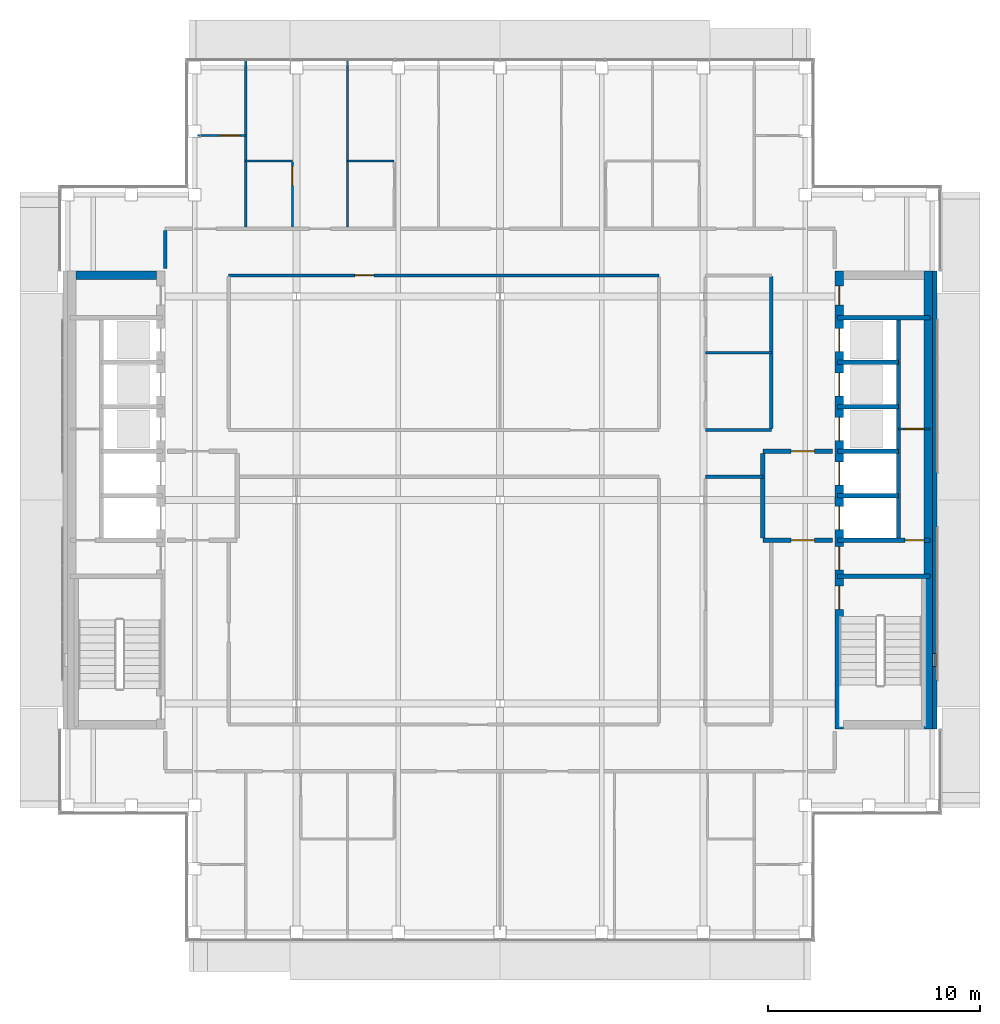
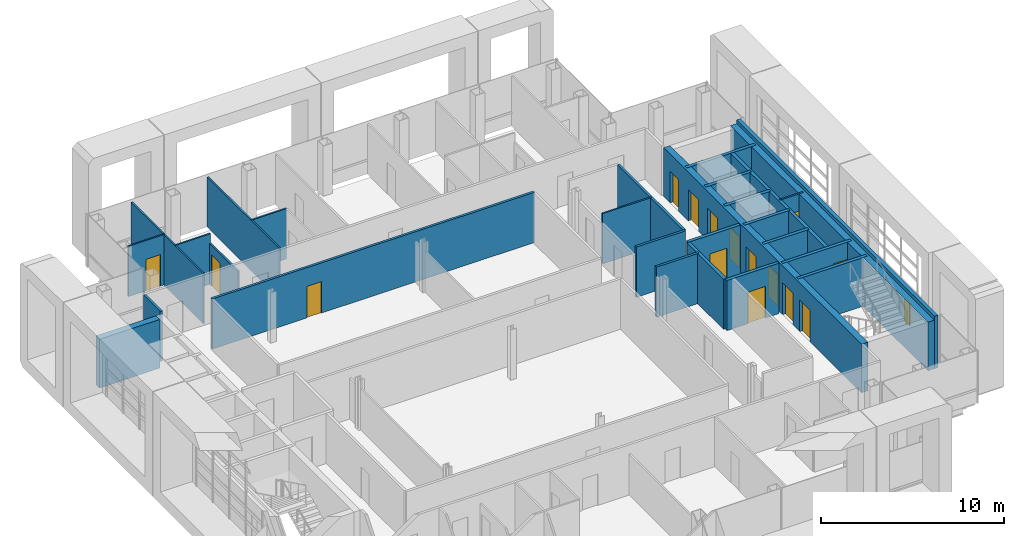
# One storey, part 11 of 21: 28 walls, 15 doors, 1 window, 16 openings.
"""IFC4 building model written with IfcOpenShell, lengths in metres."""

from ifc_helpers import new_model, si_unit, direction, frame, frame_2d, origin, place, context, subcontext, project, spatial, rectangle, extrude, material, layer, layer_set, type_object, element, fill, save


model = new_model("IFC4")

# Units and contexts
model_context = context("Model", 3, precision=1e-05, world=origin(), true_north=direction((0.0, 1.0)))
body_context = subcontext(model_context, "Body", "Model", "MODEL_VIEW")
ifc_project = project(units=[si_unit("LENGTHUNIT", "METRE"), si_unit("AREAUNIT", "SQUARE_METRE"), si_unit("VOLUMEUNIT", "CUBIC_METRE"), si_unit("PLANEANGLEUNIT", "RADIAN"), si_unit("MASSUNIT", "GRAM", prefix="KILO")], contexts=[model_context])

# Site, building, storey
site_placement = place(None, origin())
site = spatial("IfcSite", under=ifc_project, at=site_placement, CompositionType="ELEMENT")
building_placement = place(site_placement, origin())
building = spatial("IfcBuilding", under=site, at=building_placement, Name="Cobrizo Arcos Hotel Tower", CompositionType="ELEMENT")
storey_placement = place(building_placement, frame((0.0, 0.0, 248.0)))
storey = spatial("IfcBuildingStorey", under=building, at=storey_placement, Name="L65", CompositionType="ELEMENT", Elevation=248.0)

# Walls
ifc_material_1 = material(Name="Gypsum board partition")
ifc_layer_1 = layer(ifc_material_1, 0.14990234375)
ifc_layer_set_1 = layer_set([ifc_layer_1], Name="Corridor wall EI 60 150")
wall_type_1 = type_object("IfcWallType", Name="Corridor wall EI 60 150", PredefinedType="PARTITIONING", material=ifc_layer_set_1)
wall_1_placement = place(storey_placement, frame((9.699951171875, 1.10009765625, 0.0), z_axis=(0.0, 0.0, 1.0), x_axis=(1.0, 0.0, 0.0)))
element("IfcWall", 1, at=wall_1_placement, inside=storey, type_object=wall_type_1, Name="Partition 017", PredefinedType="PARTITIONING", context=body_context, shape_type="SweptSolid", body=[
    extrude(rectangle(XDim=2.699951171875, YDim=0.14990234375, at=frame_2d((1.35009765625, 0.0))), origin(), (0.0, 0.0, 1.0), 3.35009765625),
])
wall_2_placement = place(storey_placement, frame((9.699951171875, 3.300048828125, 0.0), z_axis=(0.0, 0.0, 1.0), x_axis=(1.0, 0.0, 0.0)))
element("IfcWall", 2, at=wall_2_placement, inside=storey, type_object=wall_type_1, Name="Partition 023", PredefinedType="PARTITIONING", context=body_context, shape_type="SweptSolid", body=[
    extrude(rectangle(XDim=3.10009765625, YDim=0.14990234375, at=frame_2d((1.550048828125, 0.0))), origin(), (0.0, 0.0, 1.0), 3.35009765625),
])

# Wall, opening, door
wall_3_placement = place(storey_placement, frame((-12.800048828125, 10.60009765625, 0.0), z_axis=(0.0, 0.0, 1.0), x_axis=(1.0, 0.0, 0.0)))
wall_3 = element("IfcWall", 3, at=wall_3_placement, inside=storey, type_object=wall_type_1, Name="Partition 033", PredefinedType="PARTITIONING", context=body_context, shape_type="SweptSolid", body=[
    extrude(rectangle(XDim=20.300048828125, YDim=0.14990234375, at=frame_2d((10.14990234375, 0.0))), origin(), (0.0, 0.0, 1.0), 3.35009765625),
])
opening_1_placement = place(wall_3_placement, frame((5.949951171875, 0.0, 0.0)))
opening_1 = element("IfcOpeningElement", 4, at=opening_1_placement, cuts=wall_3, Name="Opening RD-14", PredefinedType="OPENING", context=body_context, shape_type="SweptSolid", body=[
    extrude(rectangle(XDim=0.89990234375, YDim=2.10009765625, at=frame_2d((0.449951171875, 1.050048828125))), frame((0.0, 0.0869140625, 0.0), z_axis=(0.0, -1.0, 0.0), x_axis=(1.0, 0.0, 0.0)), (0.0, 0.0, 1.0), 0.173828125),
])
ifc_material_2 = material(Name="Timber door leaf", Category="wood")
door_type_1 = type_object("IfcDoorType", Name="Room door FD30 900x2100", OperationType="SINGLE_SWING_LEFT", PredefinedType="DOOR", material=ifc_material_2)
door_1_placement = place(opening_1_placement, origin())
door_1 = element("IfcDoor", 5, at=door_1_placement, inside=storey, type_object=door_type_1, Name="Door RD-14", OperationType="SINGLE_SWING_LEFT", OverallHeight=2.10009765625, OverallWidth=0.89990234375, PredefinedType="DOOR", context=body_context, shape_type="SweptSolid", body=[
    extrude(rectangle(XDim=0.89990234375, YDim=2.10009765625, at=frame_2d((0.449951171875, 1.050048828125))), frame((0.0, 0.02490234375, 0.0), z_axis=(0.0, -1.0, 0.0), x_axis=(1.0, 0.0, 0.0)), (0.0, 0.0, 1.0), 0.050048828125),
])
fill(opening_1, door_1)

# Walls
wall_4_placement = place(storey_placement, frame((-15.800048828125, 10.919921875, 0.0), z_axis=(0.0, 0.0, 1.0), x_axis=(0.0, 1.0, 0.0)))
element("IfcWall", 6, at=wall_4_placement, inside=storey, type_object=wall_type_1, Name="Partition 044", PredefinedType="PARTITIONING", context=body_context, shape_type="SweptSolid", body=[
    extrude(rectangle(XDim=1.80517578125, YDim=0.14990234375, at=frame_2d((0.902587890625, 0.0))), origin(), (0.0, 0.0, 1.0), 3.35009765625),
])
wall_5_placement = place(storey_placement, frame((12.800048828125, 3.375, 0.0), z_axis=(0.0, 0.0, 1.0), x_axis=(0.0, 1.0, 0.0)))
element("IfcWall", 7, at=wall_5_placement, inside=storey, type_object=wall_type_1, Name="Partition 088", PredefinedType="PARTITIONING", context=body_context, shape_type="SweptSolid", body=[
    extrude(rectangle(XDim=7.175048828125, YDim=0.14990234375, at=frame_2d((3.58740234375, 0.0))), origin(), (0.0, 0.0, 1.0), 3.35009765625),
])

# Wall, opening, window
ifc_material_3 = material(Name="Aluminium composite panel pale metal", Category="aluminium")
ifc_layer_2 = layer(ifc_material_3, 0.22509765625)
ifc_layer_set_2 = layer_set([ifc_layer_2], Name="EW-1 insulated panel wall 225")
wall_type_2 = type_object("IfcWallType", Name="EW-1 insulated panel wall 225", PredefinedType="SOLIDWALL", material=ifc_layer_set_2)
wall_6_placement = place(storey_placement, frame((20.512451171875, -10.800048828125, 0.0), z_axis=(0.0, 0.0, 1.0), x_axis=(0.0, 1.0, 0.0)))
wall_6 = element("IfcWall", 8, at=wall_6_placement, inside=storey, type_object=wall_type_2, Name="Core face wall L65 E", PredefinedType="SOLIDWALL", context=body_context, shape_type="SweptSolid", body=[
    extrude(rectangle(XDim=21.60009765625, YDim=0.22509765625, at=frame_2d((10.800048828125, 0.0))), origin(), (0.0, 0.0, 1.0), 3.5),
])
opening_2_placement = place(wall_6_placement, frame((2.949951171875, 0.0, 1.0)))
opening_2 = element("IfcOpeningElement", 9, at=opening_2_placement, cuts=wall_6, Name="Opening W-149", PredefinedType="OPENING", context=body_context, shape_type="SweptSolid", body=[
    extrude(rectangle(XDim=0.60009765625, YDim=1.5, at=frame_2d((0.300048828125, 0.75))), frame((0.0, 0.12451171875, 0.0), z_axis=(0.0, -1.0, 0.0), x_axis=(1.0, 0.0, 0.0)), (0.0, 0.0, 1.0), 0.2490234375),
])
ifc_material_4 = material(Name="Aluminium 6063-T6 and clear laminated glass", Category="aluminium")
window_type = type_object("IfcWindowType", Name="W-C1 core stair slot window 600x1500", PartitioningType="SINGLE_PANEL", PredefinedType="WINDOW", material=ifc_material_4)
window_placement = place(opening_2_placement, origin())
window = element("IfcWindow", 10, at=window_placement, inside=storey, type_object=window_type, Name="Core face wall L65 E window W-149", OverallHeight=1.5, OverallWidth=0.60009765625, PartitioningType="SINGLE_PANEL", PredefinedType="WINDOW", context=body_context, shape_type="SweptSolid", body=[
    extrude(rectangle(XDim=0.60009765625, YDim=1.5, at=frame_2d((0.300048828125, 0.75))), frame((0.0, -0.0224609375, 0.0), z_axis=(0.0, -1.0, 0.0), x_axis=(1.0, 0.0, 0.0)), (0.0, 0.0, 1.0), 0.06005859375),
])
fill(opening_2, window)

# Wall, opening, door
ifc_layer_3 = layer(ifc_material_1, 0.10009765625)
ifc_layer_set_3 = layer_set([ifc_layer_3], Name="Partition EI 30 100")
wall_type_3 = type_object("IfcWallType", Name="Partition EI 30 100", PredefinedType="PARTITIONING", material=ifc_layer_set_3)
wall_7_placement = place(storey_placement, frame((18.800048828125, 3.35009765625, 0.0), z_axis=(0.0, 0.0, 1.0), x_axis=(1.0, 0.0, 0.0)))
wall_7 = element("IfcWall", 11, at=wall_7_placement, inside=storey, type_object=wall_type_3, Name="Partition 025", PredefinedType="PARTITIONING", context=body_context, shape_type="SweptSolid", body=[
    extrude(rectangle(XDim=1.47998046875, YDim=0.10009765625, at=frame_2d((0.739990234375, 0.0))), origin(), (0.0, 0.0, 1.0), 3.25),
])
opening_3_placement = place(wall_7_placement, frame((0.300048828125, 0.0, 0.0)))
opening_3 = element("IfcOpeningElement", 12, at=opening_3_placement, cuts=wall_7, Name="Opening RD-06", PredefinedType="OPENING", context=body_context, shape_type="SweptSolid", body=[
    extrude(rectangle(XDim=0.89990234375, YDim=2.10009765625, at=frame_2d((0.449951171875, 1.050048828125))), frame((0.0, 0.06201171875, 0.0), z_axis=(0.0, -1.0, 0.0), x_axis=(1.0, 0.0, 0.0)), (0.0, 0.0, 1.0), 0.1240234375),
])
door_2_placement = place(opening_3_placement, origin())
door_2 = element("IfcDoor", 13, at=door_2_placement, inside=storey, type_object=door_type_1, Name="Door RD-06", OperationType="SINGLE_SWING_RIGHT", OverallHeight=2.10009765625, OverallWidth=0.89990234375, PredefinedType="DOOR", context=body_context, shape_type="SweptSolid", body=[
    extrude(rectangle(XDim=0.89990234375, YDim=2.10009765625, at=frame_2d((0.449951171875, 1.050048828125))), frame((0.0, 0.02490234375, 0.0), z_axis=(0.0, -1.0, 0.0), x_axis=(1.0, 0.0, 0.0)), (0.0, 0.0, 1.0), 0.050048828125),
])
fill(opening_3, door_2)

# Walls
wall_8_placement = place(storey_placement, frame((9.699951171875, 6.949951171875, 0.0), z_axis=(0.0, 0.0, 1.0), x_axis=(1.0, 0.0, 0.0)))
element("IfcWall", 14, at=wall_8_placement, inside=storey, type_object=wall_type_3, Name="Partition 030", PredefinedType="PARTITIONING", context=body_context, shape_type="SweptSolid", body=[
    extrude(rectangle(XDim=3.10009765625, YDim=0.10009765625, at=frame_2d((1.550048828125, 0.0))), origin(), (0.0, 0.0, 1.0), 3.35009765625),
])
for number, where, z_axis, x_axis, name in (
    (15, (-12.0, 16.0, 0.0), (0.0, 0.0, 1.0), (1.0, 0.0, 0.0), "Partition 036"),
    (16, (-7.199951171875, 16.0, 0.0), (0.0, 0.0, 1.0), (1.0, 0.0, 0.0), "Partition 037"),
):
    element("IfcWall", number, at=place(storey_placement, frame(where, z_axis=z_axis, x_axis=x_axis)), inside=storey, type_object=wall_type_3, Name=name, PredefinedType="PARTITIONING", context=body_context, shape_type="SweptSolid", body=[
        extrude(rectangle(XDim=2.199951171875, YDim=0.10009765625, at=frame_2d((1.10009765625, 0.0))), origin(), (0.0, 0.0, 1.0), 3.35009765625),
    ])

# Wall, opening, door
wall_9_placement = place(storey_placement, frame((-14.280029296875, 17.199951171875, 0.0), z_axis=(0.0, 0.0, 1.0), x_axis=(1.0, 0.0, 0.0)))
wall_9 = element("IfcWall", 17, at=wall_9_placement, inside=storey, type_object=wall_type_3, Name="Partition 039", PredefinedType="PARTITIONING", context=body_context, shape_type="SweptSolid", body=[
    extrude(rectangle(XDim=2.280029296875, YDim=0.10009765625, at=frame_2d((1.14013671875, 0.0))), origin(), (0.0, 0.0, 1.0), 3.35009765625),
])
opening_4_placement = place(wall_9_placement, frame((1.110107421875, 0.0, 0.0)))
opening_4 = element("IfcOpeningElement", 18, at=opening_4_placement, cuts=wall_9, Name="Opening ED-09", PredefinedType="OPENING", context=body_context, shape_type="SweptSolid", body=[
    extrude(rectangle(XDim=0.89990234375, YDim=2.10009765625, at=frame_2d((0.449951171875, 1.050048828125))), frame((0.0, 0.06201171875, 0.0), z_axis=(0.0, -1.0, 0.0), x_axis=(1.0, 0.0, 0.0)), (0.0, 0.0, 1.0), 0.1240234375),
])
door_type_2 = type_object("IfcDoorType", Name="En-suite door 900x2100", OperationType="SINGLE_SWING_LEFT", PredefinedType="DOOR", material=ifc_material_2)
door_3_placement = place(opening_4_placement, origin())
door_3 = element("IfcDoor", 19, at=door_3_placement, inside=storey, type_object=door_type_2, Name="Door ED-09", OperationType="SINGLE_SWING_LEFT", OverallHeight=2.10009765625, OverallWidth=0.89990234375, PredefinedType="DOOR", context=body_context, shape_type="SweptSolid", body=[
    extrude(rectangle(XDim=0.89990234375, YDim=2.10009765625, at=frame_2d((0.449951171875, 1.050048828125))), frame((0.0, 0.02490234375, 0.0), z_axis=(0.0, -1.0, 0.0), x_axis=(1.0, 0.0, 0.0)), (0.0, 0.0, 1.0), 0.050048828125),
])
fill(opening_4, door_3)

# Wall
wall_10_placement = place(storey_placement, frame((-12.0, 12.875, 0.0), z_axis=(0.0, 0.0, 1.0), x_axis=(0.0, 1.0, 0.0)))
element("IfcWall", 20, at=wall_10_placement, inside=storey, type_object=wall_type_3, Name="Partition 049", PredefinedType="PARTITIONING", context=body_context, shape_type="SweptSolid", body=[
    extrude(rectangle(XDim=7.85498046875, YDim=0.10009765625, at=frame_2d((3.927490234375, 0.0))), origin(), (0.0, 0.0, 1.0), 3.35009765625),
])

# Wall, opening, door
wall_11_placement = place(storey_placement, frame((-9.800048828125, 12.875, 0.0), z_axis=(0.0, 0.0, 1.0), x_axis=(0.0, 1.0, 0.0)))
wall_11 = element("IfcWall", 21, at=wall_11_placement, inside=storey, type_object=wall_type_3, Name="Partition 050", PredefinedType="PARTITIONING", context=body_context, shape_type="SweptSolid", body=[
    extrude(rectangle(XDim=3.074951171875, YDim=0.10009765625, at=frame_2d((1.53759765625, 0.0))), origin(), (0.0, 0.0, 1.0), 2.72802734375),
])
opening_5_placement = place(wall_11_placement, frame((1.970947265625, 0.0, 0.0)))
opening_5 = element("IfcOpeningElement", 22, at=opening_5_placement, cuts=wall_11, Name="Opening ED-01", PredefinedType="OPENING", context=body_context, shape_type="SweptSolid", body=[
    extrude(rectangle(XDim=0.89990234375, YDim=2.10009765625, at=frame_2d((0.449951171875, 1.050048828125))), frame((0.0, 0.06201171875, 0.0), z_axis=(0.0, -1.0, 0.0), x_axis=(1.0, 0.0, 0.0)), (0.0, 0.0, 1.0), 0.1240234375),
])
door_4_placement = place(opening_5_placement, origin())
door_4 = element("IfcDoor", 23, at=door_4_placement, inside=storey, type_object=door_type_2, Name="Door ED-01", OperationType="SINGLE_SWING_LEFT", OverallHeight=2.10009765625, OverallWidth=0.89990234375, PredefinedType="DOOR", context=body_context, shape_type="SweptSolid", body=[
    extrude(rectangle(XDim=0.89990234375, YDim=2.10009765625, at=frame_2d((0.449951171875, 1.050048828125))), frame((0.0, 0.02490234375, 0.0), z_axis=(0.0, -1.0, 0.0), x_axis=(1.0, 0.0, 0.0)), (0.0, 0.0, 1.0), 0.050048828125),
])
fill(opening_5, door_4)

# Wall
wall_12_placement = place(storey_placement, frame((-7.199951171875, 12.875, 0.0), z_axis=(0.0, 0.0, 1.0), x_axis=(0.0, 1.0, 0.0)))
element("IfcWall", 24, at=wall_12_placement, inside=storey, type_object=wall_type_3, Name="Partition 059", PredefinedType="PARTITIONING", context=body_context, shape_type="SweptSolid", body=[
    extrude(rectangle(XDim=7.85498046875, YDim=0.10009765625, at=frame_2d((3.927490234375, 0.0))), origin(), (0.0, 0.0, 1.0), 3.35009765625),
])

# Wall, openings, doors
ifc_material_5 = material(Name="Concrete f'c 40 MPa", Category="concrete")
ifc_layer_4 = layer(ifc_material_5, 0.39990234375)
ifc_layer_set_4 = layer_set([ifc_layer_4], Name="RC core wall 400 f'c 40")
wall_type_4 = type_object("IfcWallType", Name="RC core wall 400 f'c 40", PredefinedType="SHEAR", material=ifc_layer_set_4)
wall_13_placement = place(storey_placement, frame((16.0, -10.800048828125, 0.0), z_axis=(0.0, 0.0, 1.0), x_axis=(0.0, 1.0, 0.0)))
wall_13 = element("IfcWall", 25, at=wall_13_placement, inside=storey, type_object=wall_type_4, Name="Core wall CW4, east core, inner face, L65", PredefinedType="SHEAR", context=body_context, shape_type="SweptSolid", body=[
    extrude(rectangle(XDim=21.60009765625, YDim=0.39990234375, at=frame_2d((10.800048828125, 0.0))), origin(), (0.0, 0.0, 1.0), 3.25),
])
opening_6_placement = place(wall_13_placement, frame((9.39990234375, 0.0, 0.0)))
opening_6 = element("IfcOpeningElement", 26, at=opening_6_placement, cuts=wall_13, Name="Opening LD-06", PredefinedType="OPENING", context=body_context, shape_type="SweptSolid", body=[
    extrude(rectangle(XDim=1.10009765625, YDim=2.10009765625, at=frame_2d((0.550048828125, 1.050048828125))), frame((0.0, 0.2119140625, 0.0), z_axis=(0.0, -1.0, 0.0), x_axis=(1.0, 0.0, 0.0)), (0.0, 0.0, 1.0), 0.423828125),
])
opening_7_placement = place(wall_13_placement, frame((11.5, 0.0, 0.0)))
opening_7 = element("IfcOpeningElement", 27, at=opening_7_placement, cuts=wall_13, Name="Opening LD-07", PredefinedType="OPENING", context=body_context, shape_type="SweptSolid", body=[
    extrude(rectangle(XDim=1.10009765625, YDim=2.10009765625, at=frame_2d((0.550048828125, 1.050048828125))), frame((0.0, 0.2119140625, 0.0), z_axis=(0.0, -1.0, 0.0), x_axis=(1.0, 0.0, 0.0)), (0.0, 0.0, 1.0), 0.423828125),
])
opening_8_placement = place(wall_13_placement, frame((13.60009765625, 0.0, 0.0)))
opening_8 = element("IfcOpeningElement", 28, at=opening_8_placement, cuts=wall_13, Name="Opening LD-08", PredefinedType="OPENING", context=body_context, shape_type="SweptSolid", body=[
    extrude(rectangle(XDim=1.10009765625, YDim=2.10009765625, at=frame_2d((0.550048828125, 1.050048828125))), frame((0.0, 0.2119140625, 0.0), z_axis=(0.0, -1.0, 0.0), x_axis=(1.0, 0.0, 0.0)), (0.0, 0.0, 1.0), 0.423828125),
])
opening_9_placement = place(wall_13_placement, frame((15.699951171875, 0.0, 0.0)))
opening_9 = element("IfcOpeningElement", 29, at=opening_9_placement, cuts=wall_13, Name="Opening LD-09", PredefinedType="OPENING", context=body_context, shape_type="SweptSolid", body=[
    extrude(rectangle(XDim=1.10009765625, YDim=2.10009765625, at=frame_2d((0.550048828125, 1.050048828125))), frame((0.0, 0.2119140625, 0.0), z_axis=(0.0, -1.0, 0.0), x_axis=(1.0, 0.0, 0.0)), (0.0, 0.0, 1.0), 0.423828125),
])
opening_10_placement = place(wall_13_placement, frame((17.800048828125, 0.0, 0.0)))
opening_10 = element("IfcOpeningElement", 30, at=opening_10_placement, cuts=wall_13, Name="Opening LD-10", PredefinedType="OPENING", context=body_context, shape_type="SweptSolid", body=[
    extrude(rectangle(XDim=1.10009765625, YDim=2.10009765625, at=frame_2d((0.550048828125, 1.050048828125))), frame((0.0, 0.2119140625, 0.0), z_axis=(0.0, -1.0, 0.0), x_axis=(1.0, 0.0, 0.0)), (0.0, 0.0, 1.0), 0.423828125),
])
opening_11_placement = place(wall_13_placement, frame((5.64208984375, 0.0, 0.0)))
opening_11 = element("IfcOpeningElement", 31, at=opening_11_placement, cuts=wall_13, Name="Opening SD-02", PredefinedType="OPENING", context=body_context, shape_type="SweptSolid", body=[
    extrude(rectangle(XDim=1.10009765625, YDim=2.10009765625, at=frame_2d((0.550048828125, 1.050048828125))), frame((0.0, 0.2119140625, 0.0), z_axis=(0.0, -1.0, 0.0), x_axis=(1.0, 0.0, 0.0)), (0.0, 0.0, 1.0), 0.423828125),
])
opening_12_placement = place(wall_13_placement, frame((7.5, 0.0, 0.0)))
opening_12 = element("IfcOpeningElement", 32, at=opening_12_placement, cuts=wall_13, Name="Opening FD-04", PredefinedType="OPENING", context=body_context, shape_type="SweptSolid", body=[
    extrude(rectangle(XDim=1.10009765625, YDim=2.10009765625, at=frame_2d((0.550048828125, 1.050048828125))), frame((0.0, 0.2119140625, 0.0), z_axis=(0.0, -1.0, 0.0), x_axis=(1.0, 0.0, 0.0)), (0.0, 0.0, 1.0), 0.423828125),
])
opening_13_placement = place(wall_13_placement, frame((20.0, 0.0, 0.0)))
opening_13 = element("IfcOpeningElement", 33, at=opening_13_placement, cuts=wall_13, Name="Opening RD-04", PredefinedType="OPENING", context=body_context, shape_type="SweptSolid", body=[
    extrude(rectangle(XDim=0.89990234375, YDim=2.10009765625, at=frame_2d((0.449951171875, 1.050048828125))), frame((0.0, 0.2119140625, 0.0), z_axis=(0.0, -1.0, 0.0), x_axis=(1.0, 0.0, 0.0)), (0.0, 0.0, 1.0), 0.423828125),
])
ifc_material_6 = material(Name="Steel door leaf", Category="steel")
door_type_3 = type_object("IfcDoorType", Name="Fire door FD60 1100x2100", OperationType="SINGLE_SWING_LEFT", PredefinedType="DOOR", material=ifc_material_6)
door_5_placement = place(opening_12_placement, origin())
door_5 = element("IfcDoor", 34, at=door_5_placement, inside=storey, type_object=door_type_3, Name="Door FD-04", OperationType="SINGLE_SWING_RIGHT", OverallHeight=2.10009765625, OverallWidth=1.10009765625, PredefinedType="DOOR", context=body_context, shape_type="SweptSolid", body=[
    extrude(rectangle(XDim=1.10009765625, YDim=2.10009765625, at=frame_2d((0.550048828125, 1.050048828125))), frame((0.0, 0.02490234375, 0.0), z_axis=(0.0, -1.0, 0.0), x_axis=(1.0, 0.0, 0.0)), (0.0, 0.0, 1.0), 0.050048828125),
])
fill(opening_12, door_5)
door_type_4 = type_object("IfcDoorType", Name="Lift landing door 1100x2100", OperationType="SLIDING_TO_LEFT", PredefinedType="DOOR", material=ifc_material_6)
door_6_placement = place(opening_6_placement, origin())
door_6 = element("IfcDoor", 35, at=door_6_placement, inside=storey, type_object=door_type_4, Name="Lift landing door LD-06", OperationType="SLIDING_TO_LEFT", OverallHeight=2.10009765625, OverallWidth=1.10009765625, PredefinedType="DOOR", context=body_context, shape_type="SweptSolid", body=[
    extrude(rectangle(XDim=1.10009765625, YDim=2.10009765625, at=frame_2d((0.550048828125, 1.050048828125))), frame((0.0, 0.02490234375, 0.0), z_axis=(0.0, -1.0, 0.0), x_axis=(1.0, 0.0, 0.0)), (0.0, 0.0, 1.0), 0.050048828125),
])
fill(opening_6, door_6)
door_7_placement = place(opening_7_placement, origin())
door_7 = element("IfcDoor", 36, at=door_7_placement, inside=storey, type_object=door_type_4, Name="Lift landing door LD-07", OperationType="SLIDING_TO_LEFT", OverallHeight=2.10009765625, OverallWidth=1.10009765625, PredefinedType="DOOR", context=body_context, shape_type="SweptSolid", body=[
    extrude(rectangle(XDim=1.10009765625, YDim=2.10009765625, at=frame_2d((0.550048828125, 1.050048828125))), frame((0.0, 0.02490234375, 0.0), z_axis=(0.0, -1.0, 0.0), x_axis=(1.0, 0.0, 0.0)), (0.0, 0.0, 1.0), 0.050048828125),
])
fill(opening_7, door_7)
door_8_placement = place(opening_8_placement, origin())
door_8 = element("IfcDoor", 37, at=door_8_placement, inside=storey, type_object=door_type_4, Name="Lift landing door LD-08", OperationType="SLIDING_TO_LEFT", OverallHeight=2.10009765625, OverallWidth=1.10009765625, PredefinedType="DOOR", context=body_context, shape_type="SweptSolid", body=[
    extrude(rectangle(XDim=1.10009765625, YDim=2.10009765625, at=frame_2d((0.550048828125, 1.050048828125))), frame((0.0, 0.02490234375, 0.0), z_axis=(0.0, -1.0, 0.0), x_axis=(1.0, 0.0, 0.0)), (0.0, 0.0, 1.0), 0.050048828125),
])
fill(opening_8, door_8)
door_9_placement = place(opening_9_placement, origin())
door_9 = element("IfcDoor", 38, at=door_9_placement, inside=storey, type_object=door_type_4, Name="Lift landing door LD-09", OperationType="SLIDING_TO_LEFT", OverallHeight=2.10009765625, OverallWidth=1.10009765625, PredefinedType="DOOR", context=body_context, shape_type="SweptSolid", body=[
    extrude(rectangle(XDim=1.10009765625, YDim=2.10009765625, at=frame_2d((0.550048828125, 1.050048828125))), frame((0.0, 0.02490234375, 0.0), z_axis=(0.0, -1.0, 0.0), x_axis=(1.0, 0.0, 0.0)), (0.0, 0.0, 1.0), 0.050048828125),
])
fill(opening_9, door_9)
door_10_placement = place(opening_10_placement, origin())
door_10 = element("IfcDoor", 39, at=door_10_placement, inside=storey, type_object=door_type_4, Name="Lift landing door LD-10", OperationType="SLIDING_TO_LEFT", OverallHeight=2.10009765625, OverallWidth=1.10009765625, PredefinedType="DOOR", context=body_context, shape_type="SweptSolid", body=[
    extrude(rectangle(XDim=1.10009765625, YDim=2.10009765625, at=frame_2d((0.550048828125, 1.050048828125))), frame((0.0, 0.02490234375, 0.0), z_axis=(0.0, -1.0, 0.0), x_axis=(1.0, 0.0, 0.0)), (0.0, 0.0, 1.0), 0.050048828125),
])
fill(opening_10, door_10)
door_11_placement = place(opening_13_placement, origin())
door_11 = element("IfcDoor", 40, at=door_11_placement, inside=storey, type_object=door_type_1, Name="Door RD-04", OperationType="SINGLE_SWING_LEFT", OverallHeight=2.10009765625, OverallWidth=0.89990234375, PredefinedType="DOOR", context=body_context, shape_type="SweptSolid", body=[
    extrude(rectangle(XDim=0.89990234375, YDim=2.10009765625, at=frame_2d((0.449951171875, 1.050048828125))), frame((0.0, 0.02490234375, 0.0), z_axis=(0.0, -1.0, 0.0), x_axis=(1.0, 0.0, 0.0)), (0.0, 0.0, 1.0), 0.050048828125),
])
fill(opening_13, door_11)
door_type_5 = type_object("IfcDoorType", Name="Stair door FD60S 1100x2100", OperationType="SINGLE_SWING_LEFT", PredefinedType="DOOR", material=ifc_material_6)
door_12_placement = place(opening_11_placement, origin())
door_12 = element("IfcDoor", 41, at=door_12_placement, inside=storey, type_object=door_type_5, Name="Door SD-02", OperationType="SINGLE_SWING_RIGHT", OverallHeight=2.10009765625, OverallWidth=1.10009765625, PredefinedType="DOOR", context=body_context, shape_type="SweptSolid", body=[
    extrude(rectangle(XDim=1.10009765625, YDim=2.10009765625, at=frame_2d((0.550048828125, 1.050048828125))), frame((0.0, 0.02490234375, 0.0), z_axis=(0.0, -1.0, 0.0), x_axis=(1.0, 0.0, 0.0)), (0.0, 0.0, 1.0), 0.050048828125),
])
fill(opening_11, door_12)

# Walls
wall_14_placement = place(storey_placement, frame((20.199951171875, -10.800048828125, 0.0), z_axis=(0.0, 0.0, 1.0), x_axis=(0.0, 1.0, 0.0)))
element("IfcWall", 42, at=wall_14_placement, inside=storey, type_object=wall_type_4, Name="Core wall CW4, east core, outer face, L65", PredefinedType="SHEAR", context=body_context, shape_type="SweptSolid", body=[
    extrude(rectangle(XDim=21.60009765625, YDim=0.39990234375, at=frame_2d((10.800048828125, 0.0))), origin(), (0.0, 0.0, 1.0), 3.25),
])
wall_15_placement = place(storey_placement, frame((-20.0, 10.60009765625, 0.0), z_axis=(0.0, 0.0, 1.0), x_axis=(1.0, 0.0, 0.0)))
element("IfcWall", 43, at=wall_15_placement, inside=storey, type_object=wall_type_4, Name="Core wall CW4, west core, north end, L65", PredefinedType="SHEAR", context=body_context, shape_type="SweptSolid", body=[
    extrude(rectangle(XDim=3.800048828125, YDim=0.39990234375, at=frame_2d((1.89990234375, 0.0))), origin(), (0.0, 0.0, 1.0), 3.25),
])

# Wall, opening, door
ifc_layer_5 = layer(ifc_material_1, 0.199951171875)
ifc_layer_set_5 = layer_set([ifc_layer_5], Name="Shaft wall EI 120 200")
wall_type_5 = type_object("IfcWallType", Name="Shaft wall EI 120 200", PredefinedType="PARTITIONING", material=ifc_layer_set_5)
wall_16_placement = place(storey_placement, frame((12.39990234375, -1.89990234375, 0.0), z_axis=(0.0, 0.0, 1.0), x_axis=(1.0, 0.0, 0.0)))
wall_16 = element("IfcWall", 44, at=wall_16_placement, inside=storey, type_object=wall_type_5, Name="Partition 012", PredefinedType="PARTITIONING", context=body_context, shape_type="SweptSolid", body=[
    extrude(rectangle(XDim=3.280029296875, YDim=0.199951171875, at=frame_2d((1.64013671875, 0.0))), origin(), (0.0, 0.0, 1.0), 3.35009765625),
])
opening_14_placement = place(wall_16_placement, frame((1.340087890625, 0.0, 0.0)))
opening_14 = element("IfcOpeningElement", 45, at=opening_14_placement, cuts=wall_16, Name="Opening FD-05", PredefinedType="OPENING", context=body_context, shape_type="SweptSolid", body=[
    extrude(rectangle(XDim=1.10009765625, YDim=2.10009765625, at=frame_2d((0.550048828125, 1.050048828125))), frame((0.0, 0.112060546875, 0.0), z_axis=(0.0, -1.0, 0.0), x_axis=(1.0, 0.0, 0.0)), (0.0, 0.0, 1.0), 0.223876953125),
])
door_13_placement = place(opening_14_placement, origin())
door_13 = element("IfcDoor", 46, at=door_13_placement, inside=storey, type_object=door_type_3, Name="Door FD-05", OperationType="SINGLE_SWING_LEFT", OverallHeight=2.10009765625, OverallWidth=1.10009765625, PredefinedType="DOOR", context=body_context, shape_type="SweptSolid", body=[
    extrude(rectangle(XDim=1.10009765625, YDim=2.10009765625, at=frame_2d((0.550048828125, 1.050048828125))), frame((0.0, 0.02490234375, 0.0), z_axis=(0.0, -1.0, 0.0), x_axis=(1.0, 0.0, 0.0)), (0.0, 0.0, 1.0), 0.050048828125),
])
fill(opening_14, door_13)

wall_17_placement = place(storey_placement, frame((15.919921875, -1.89990234375, 0.0), z_axis=(0.0, 0.0, 1.0), x_axis=(1.0, 0.0, 0.0)))
wall_17 = element("IfcWall", 47, at=wall_17_placement, inside=storey, type_object=wall_type_5, Name="Partition 013", PredefinedType="PARTITIONING", context=body_context, shape_type="SweptSolid", body=[
    extrude(rectangle(XDim=4.360107421875, YDim=0.199951171875, at=frame_2d((2.18017578125, 0.0))), origin(), (0.0, 0.0, 1.0), 3.25),
])
opening_15_placement = place(wall_17_placement, frame((3.179931640625, 0.0, 0.0)))
opening_15 = element("IfcOpeningElement", 48, at=opening_15_placement, cuts=wall_17, Name="Opening RD-05", PredefinedType="OPENING", context=body_context, shape_type="SweptSolid", body=[
    extrude(rectangle(XDim=0.89990234375, YDim=2.10009765625, at=frame_2d((0.449951171875, 1.050048828125))), frame((0.0, 0.112060546875, 0.0), z_axis=(0.0, -1.0, 0.0), x_axis=(1.0, 0.0, 0.0)), (0.0, 0.0, 1.0), 0.223876953125),
])
door_14_placement = place(opening_15_placement, origin())
door_14 = element("IfcDoor", 49, at=door_14_placement, inside=storey, type_object=door_type_1, Name="Door RD-05", OperationType="SINGLE_SWING_RIGHT", OverallHeight=2.10009765625, OverallWidth=0.89990234375, PredefinedType="DOOR", context=body_context, shape_type="SweptSolid", body=[
    extrude(rectangle(XDim=0.89990234375, YDim=2.10009765625, at=frame_2d((0.449951171875, 1.050048828125))), frame((0.0, 0.02490234375, 0.0), z_axis=(0.0, -1.0, 0.0), x_axis=(1.0, 0.0, 0.0)), (0.0, 0.0, 1.0), 0.050048828125),
])
fill(opening_15, door_14)

# Wall
wall_18_placement = place(storey_placement, frame((15.919921875, 0.199951171875, 0.0), z_axis=(0.0, 0.0, 1.0), x_axis=(1.0, 0.0, 0.0)))
element("IfcWall", 50, at=wall_18_placement, inside=storey, type_object=wall_type_5, Name="Partition 015", PredefinedType="PARTITIONING", context=body_context, shape_type="SweptSolid", body=[
    extrude(rectangle(XDim=2.880126953125, YDim=0.199951171875, at=frame_2d((1.43994140625, 0.0))), origin(), (0.0, 0.0, 1.0), 3.25),
])

# Wall, opening, door
wall_19_placement = place(storey_placement, frame((12.39990234375, 2.300048828125, 0.0), z_axis=(0.0, 0.0, 1.0), x_axis=(1.0, 0.0, 0.0)))
wall_19 = element("IfcWall", 51, at=wall_19_placement, inside=storey, type_object=wall_type_5, Name="Partition 020", PredefinedType="PARTITIONING", context=body_context, shape_type="SweptSolid", body=[
    extrude(rectangle(XDim=3.280029296875, YDim=0.199951171875, at=frame_2d((1.64013671875, 0.0))), origin(), (0.0, 0.0, 1.0), 3.35009765625),
])
opening_16_placement = place(wall_19_placement, frame((1.340087890625, 0.0, 0.0)))
opening_16 = element("IfcOpeningElement", 52, at=opening_16_placement, cuts=wall_19, Name="Opening FD-06", PredefinedType="OPENING", context=body_context, shape_type="SweptSolid", body=[
    extrude(rectangle(XDim=1.10009765625, YDim=2.10009765625, at=frame_2d((0.550048828125, 1.050048828125))), frame((0.0, 0.112060546875, 0.0), z_axis=(0.0, -1.0, 0.0), x_axis=(1.0, 0.0, 0.0)), (0.0, 0.0, 1.0), 0.223876953125),
])
door_15_placement = place(opening_16_placement, origin())
door_15 = element("IfcDoor", 53, at=door_15_placement, inside=storey, type_object=door_type_3, Name="Door FD-06", OperationType="SINGLE_SWING_LEFT", OverallHeight=2.10009765625, OverallWidth=1.10009765625, PredefinedType="DOOR", context=body_context, shape_type="SweptSolid", body=[
    extrude(rectangle(XDim=1.10009765625, YDim=2.10009765625, at=frame_2d((0.550048828125, 1.050048828125))), frame((0.0, 0.02490234375, 0.0), z_axis=(0.0, -1.0, 0.0), x_axis=(1.0, 0.0, 0.0)), (0.0, 0.0, 1.0), 0.050048828125),
])
fill(opening_16, door_15)

# Walls
for number, where, z_axis, x_axis, name in (
    (54, (15.919921875, 2.300048828125, 0.0), (0.0, 0.0, 1.0), (1.0, 0.0, 0.0), "Partition 021"),
    (55, (15.919921875, 4.39990234375, 0.0), (0.0, 0.0, 1.0), (1.0, 0.0, 0.0), "Partition 027"),
    (56, (15.919921875, 6.5, 0.0), (0.0, 0.0, 1.0), (1.0, 0.0, 0.0), "Partition 029"),
):
    element("IfcWall", number, at=place(storey_placement, frame(where, z_axis=z_axis, x_axis=x_axis)), inside=storey, type_object=wall_type_5, Name=name, PredefinedType="PARTITIONING", context=body_context, shape_type="SweptSolid", body=[
        extrude(rectangle(XDim=2.880126953125, YDim=0.199951171875, at=frame_2d((1.43994140625, 0.0))), origin(), (0.0, 0.0, 1.0), 3.25),
    ])
wall_20_placement = place(storey_placement, frame((15.919921875, 8.60009765625, 0.0), z_axis=(0.0, 0.0, 1.0), x_axis=(1.0, 0.0, 0.0)))
element("IfcWall", 57, at=wall_20_placement, inside=storey, type_object=wall_type_5, Name="Partition 032", PredefinedType="PARTITIONING", context=body_context, shape_type="SweptSolid", body=[
    extrude(rectangle(XDim=4.360107421875, YDim=0.199951171875, at=frame_2d((2.18017578125, 0.0))), origin(), (0.0, 0.0, 1.0), 3.25),
])
wall_21_placement = place(storey_placement, frame((12.39990234375, -1.800048828125, 0.0), z_axis=(0.0, 0.0, 1.0), x_axis=(0.0, 1.0, 0.0)))
element("IfcWall", 58, at=wall_21_placement, inside=storey, type_object=wall_type_5, Name="Partition 086", PredefinedType="PARTITIONING", context=body_context, shape_type="SweptSolid", body=[
    extrude(rectangle(XDim=4.0, YDim=0.199951171875, at=frame_2d((2.0, 0.0))), origin(), (0.0, 0.0, 1.0), 3.35009765625),
])
wall_22_placement = place(storey_placement, frame((18.800048828125, -1.800048828125, 0.0), z_axis=(0.0, 0.0, 1.0), x_axis=(0.0, 1.0, 0.0)))
element("IfcWall", 59, at=wall_22_placement, inside=storey, type_object=wall_type_5, Name="Partition 091", PredefinedType="PARTITIONING", context=body_context, shape_type="SweptSolid", body=[
    extrude(rectangle(XDim=10.300048828125, YDim=0.199951171875, at=frame_2d((5.14990234375, 0.0))), origin(), (0.0, 0.0, 1.0), 3.25),
])
ifc_layer_6 = layer(ifc_material_5, 0.199951171875)
ifc_layer_set_6 = layer_set([ifc_layer_6], Name="Stair shaft wall 200")
wall_type_6 = type_object("IfcWallType", Name="Stair shaft wall 200", PredefinedType="SHEAR", material=ifc_layer_set_6)
wall_23_placement = place(storey_placement, frame((15.919921875, -3.60009765625, 0.0), z_axis=(0.0, 0.0, 1.0), x_axis=(1.0, 0.0, 0.0)))
element("IfcWall", 60, at=wall_23_placement, inside=storey, type_object=wall_type_6, Name="Stair shaft wall E", PredefinedType="SHEAR", context=body_context, shape_type="SweptSolid", body=[
    extrude(rectangle(XDim=4.360107421875, YDim=0.199951171875, at=frame_2d((2.18017578125, 0.0))), origin(), (0.0, 0.0, 1.0), 3.25),
])

save(model, "model.ifc")
